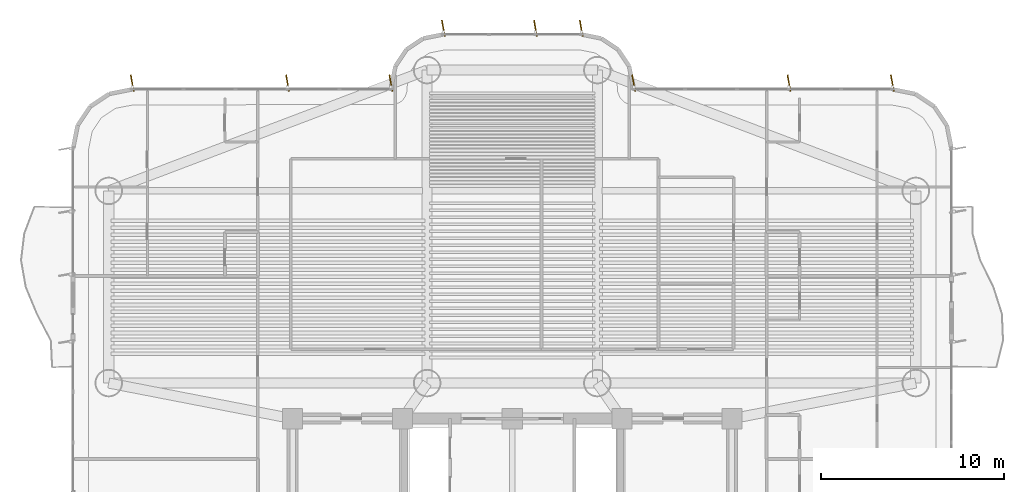
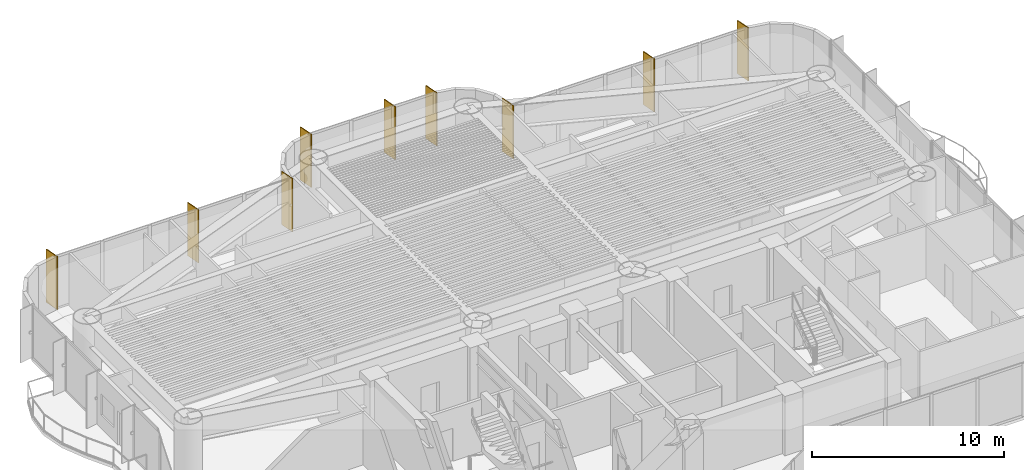
# One storey, part 17 of 17: 9 shading devices.
"""IFC4 building model written with IfcOpenShell, lengths in metres."""

from ifc_helpers import new_model, si_unit, direction, frame, origin, origin_2d, place, context, subcontext, project, spatial, rectangle, extrude, source, transform, mapped, material, material_profile, profile_set, type_object, element, save


model = new_model("IFC4")

# Units and contexts
model_context = context("Model", 3, precision=1e-05, world=origin(), true_north=direction((0.0, 1.0)))
body_context = subcontext(model_context, "Body", "Model", "MODEL_VIEW")
ifc_project = project(units=[si_unit("LENGTHUNIT", "METRE"), si_unit("AREAUNIT", "SQUARE_METRE"), si_unit("VOLUMEUNIT", "CUBIC_METRE"), si_unit("PLANEANGLEUNIT", "RADIAN"), si_unit("MASSUNIT", "GRAM", prefix="KILO")], contexts=[model_context])

# Site, building, storey
site_placement = place(None, origin())
site = spatial("IfcSite", under=ifc_project, at=site_placement, CompositionType="ELEMENT")
building_placement = place(site_placement, origin())
building = spatial("IfcBuilding", under=site, at=building_placement, Name="Brelvock Crest Care Tower", CompositionType="ELEMENT")
storey_placement = place(building_placement, frame((0.0, 0.0, 76.139892578125)))
storey = spatial("IfcBuildingStorey", under=building, at=storey_placement, Name="L19", CompositionType="ELEMENT", Elevation=76.139892578125)

# Shading devices
ifc_material = material(Name="Aluminium 6063-T6", Category="aluminium")
ifc_material_profile = material_profile(ifc_material, rectangle(XDim=0.054931640625, YDim=0.89990234375, at=origin_2d()), Name="FIN55x900")
ifc_profile_set = profile_set([ifc_material_profile], Name="Aluminium 6063-T6")
shading_device_type = type_object("IfcShadingDeviceType", Name="SHD-FIN1", PredefinedType="USERDEFINED", material=ifc_profile_set)
shared_shape = source(origin(), body_context, "Body", "SweptSolid", [
    extrude(rectangle(XDim=0.054931640625, YDim=0.89990234375, at=origin_2d()), origin(), (0.0, 0.0, 1.0), 3.3720703125),
])
for number, where, z_axis, x_axis, name in (
    (1, (15.232421875, 36.340087890625, 0.0), (0.0, 0.0, 1.0), (0.984807753012, 0.173648177667, 0.0), "L19 Vertical Sunshade Fin E18-01"),
    (2, (23.719970703125, 36.340087890625, 0.0), (0.0, 0.0, 1.0), (0.984807753012, 0.173648177667, 0.0), "L19 Vertical Sunshade Fin E18-04"),
    (3, (29.367431640625, 36.340087890625, 0.0), (0.0, 0.0, 1.0), (0.984807753012, 0.173648177667, 0.0), "L19 Vertical Sunshade Fin E18-06"),
    (4, (32.232421875, 39.340087890625, 0.0), (0.0, 0.0, 1.0), (0.984807753012, 0.173648177667, 0.0), "L19 Vertical Sunshade Fin E24-01"),
    (5, (37.2666015625, 39.340087890625, 0.0), (0.0, 0.0, 1.0), (0.984807753012, 0.173648177667, 0.0), "L19 Vertical Sunshade Fin E24-03"),
    (6, (39.767578125, 39.340087890625, 0.0), (0.0, 0.0, 1.0), (0.984807753012, 0.173648177667, 0.0), "L19 Vertical Sunshade Fin E24-04"),
    (7, (42.632568359375, 36.340087890625, 0.0), (0.0, 0.0, 1.0), (0.984807753012, 0.173648177667, 0.0), "L19 Vertical Sunshade Fin E30-01"),
    (8, (51.1201171875, 36.340087890625, 0.0), (0.0, 0.0, 1.0), (0.984807753012, 0.173648177667, 0.0), "L19 Vertical Sunshade Fin E30-04"),
    (9, (56.767578125, 36.340087890625, 0.0), (0.0, 0.0, 1.0), (0.984807753012, 0.173648177667, 0.0), "L19 Vertical Sunshade Fin E30-06"),
):
    element("IfcShadingDevice", number, at=place(storey_placement, frame(where, z_axis=z_axis, x_axis=x_axis)), inside=storey, type_object=shading_device_type, Name=name, ObjectType="FIN", PredefinedType="USERDEFINED", context=body_context, shape_type="MappedRepresentation", body=[
        mapped(shared_shape, transform((0.0, 0.0, 0.0), x_axis=(1.0, 0.0, 0.0), y_axis=(0.0, 1.0, 0.0), z_axis=(0.0, 0.0, 1.0), scale=1.0)),
    ])

save(model, "model.ifc")
